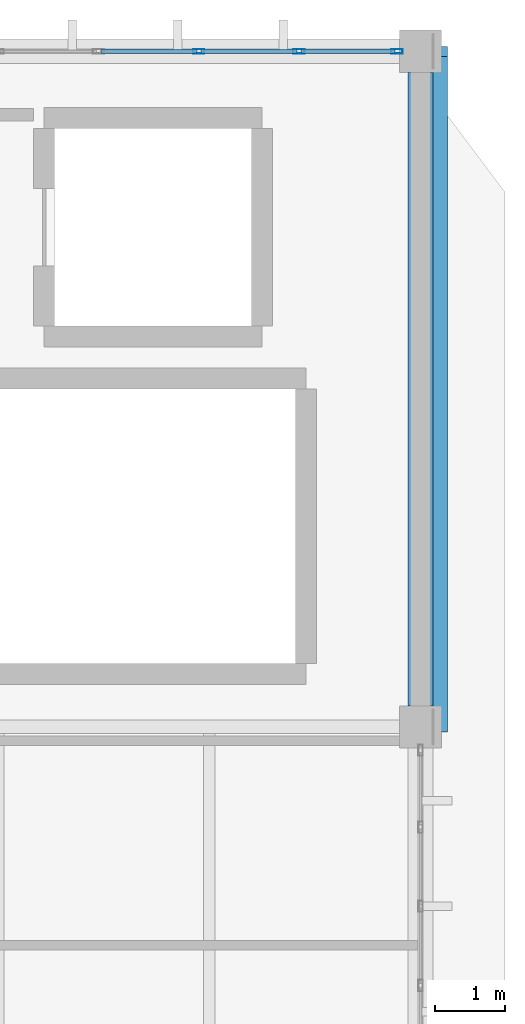
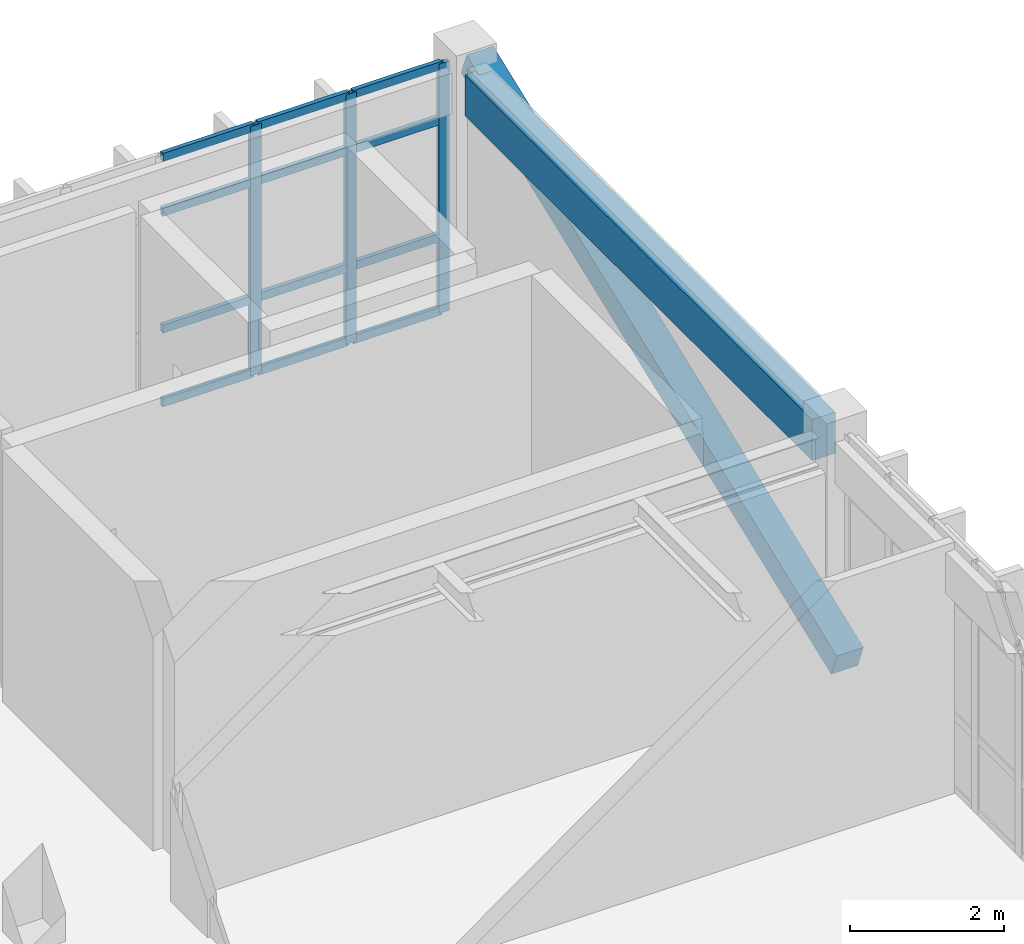
# One storey, part 19 of 28: 16 members, 1 beam, 1 element without a shape of its own.
"""IFC4 building model written with IfcOpenShell, lengths in metres."""

from ifc_helpers import new_model, si_unit, direction, frame, origin, origin_2d, place, context, subcontext, project, spatial, rectangle, hollow_rectangle, extrude, material, layer, layer_set, material_profile, profile_set, type_object, element, aggregate, save


model = new_model("IFC4")

# Units and contexts
model_context = context("Model", 3, precision=1e-05, world=origin(), true_north=direction((0.0, 1.0)))
body_context = subcontext(model_context, "Body", "Model", "MODEL_VIEW")
ifc_project = project(units=[si_unit("LENGTHUNIT", "METRE"), si_unit("AREAUNIT", "SQUARE_METRE"), si_unit("VOLUMEUNIT", "CUBIC_METRE"), si_unit("PLANEANGLEUNIT", "RADIAN"), si_unit("MASSUNIT", "GRAM", prefix="KILO")], contexts=[model_context])

# Site, building, storey
site_placement = place(None, origin())
site = spatial("IfcSite", under=ifc_project, at=site_placement, CompositionType="ELEMENT")
building_placement = place(site_placement, origin())
building = spatial("IfcBuilding", under=site, at=building_placement, Name="Pandanus Reach Market Hall", CompositionType="ELEMENT")
storey_placement = place(building_placement, frame((0.0, 0.0, 18.60009765625)))
storey = spatial("IfcBuildingStorey", under=building, at=storey_placement, Name="L04", CompositionType="ELEMENT", Elevation=18.60009765625)

# Beam
ifc_material_1 = material(Name="Concrete N40 (40 MPa)", Category="concrete")
ifc_material_profile_1 = material_profile(ifc_material_1, rectangle(XDim=0.35009765625, YDim=0.64990234375, at=origin_2d()), Name="RC350x650", Category="LoadBearing")
ifc_profile_set_1 = profile_set([ifc_material_profile_1], Name="Concrete N40 (40 MPa)")
beam_type = type_object("IfcBeamType", Name="BM-RC350-E", PredefinedType="SPANDREL", material=ifc_profile_set_1)
beam_placement = place(storey_placement, frame((180.0, 67.498046875, 3.534912109375), z_axis=(0.0, 1.0, 0.0), x_axis=(-1.0, 0.0, 0.0)))
element("IfcBeam", 1, at=beam_placement, inside=storey, type_object=beam_type, Name="Framing beam BM-RC350-E L04.636", PredefinedType="SPANDREL", context=body_context, shape_type="SweptSolid", body=[
    extrude(rectangle(XDim=0.35009765625, YDim=0.64990234375, at=origin_2d()), origin(), (0.0, 0.0, 1.0), 9.00390625),
])

# Curtain wall, members
ifc_material_2 = material(Name="Bronze anodised aluminium and low-E glass", Category="aluminium")
ifc_layer = layer(ifc_material_2, 0.159912109375, Name="CW-35")
ifc_layer_set = layer_set([ifc_layer], Name="Bronze anodised aluminium and low-E glass")
curtain_wall_type = type_object("IfcCurtainWallType", Name="CW-35", PredefinedType="NOTDEFINED", material=ifc_layer_set)
curtain_wall_placement = place(storey_placement, origin())
curtain_wall = element("IfcCurtainWall", 2, at=curtain_wall_placement, inside=storey, type_object=curtain_wall_type, Name="Glazed curtain wall CW-35 CW-0130", PredefinedType="NOTDEFINED")
ifc_material_3 = material(Name="Bronze anodised aluminium", Category="aluminium")
ifc_material_profile_2 = material_profile(ifc_material_3, hollow_rectangle(XDim=0.06494140625, YDim=0.159912109375, WallThickness=0.00390625, at=origin_2d()), Name="ALU65x160", Category="LoadBearing")
ifc_profile_set_2 = profile_set([ifc_material_profile_2], Name="Bronze anodised aluminium")
member_type_1 = type_object("IfcMemberType", Name="CW-M1", PredefinedType="MULLION", material=ifc_profile_set_2)
member_1_placement = place(storey_placement, frame((176.85009765625, 76.800048828125, 0.0), z_axis=(0.0, 0.0, 1.0), x_axis=(0.0, 1.0, 0.0)))
member_1 = element("IfcMember", 3, at=member_1_placement, type_object=member_type_1, Name="CW-35 mullion 7", PredefinedType="MULLION", context=body_context, shape_type="SweptSolid", body=[
    extrude(hollow_rectangle(XDim=0.06494140625, YDim=0.159912109375, WallThickness=0.00390625, at=origin_2d()), origin(), (0.0, 0.0, 1.0), 3.949951171875),
])
member_2_placement = place(storey_placement, frame((178.27490234375, 76.800048828125, 0.0), z_axis=(0.0, 0.0, 1.0), x_axis=(0.0, 1.0, 0.0)))
member_2 = element("IfcMember", 4, at=member_2_placement, type_object=member_type_1, Name="CW-35 mullion 8", PredefinedType="MULLION", context=body_context, shape_type="SweptSolid", body=[
    extrude(hollow_rectangle(XDim=0.06494140625, YDim=0.159912109375, WallThickness=0.00390625, at=origin_2d()), origin(), (0.0, 0.0, 1.0), 3.949951171875),
])
member_3_placement = place(storey_placement, frame((179.66748046875, 76.800048828125, 0.0), z_axis=(0.0, 0.0, 1.0), x_axis=(0.0, 1.0, 0.0)))
member_3 = element("IfcMember", 5, at=member_3_placement, type_object=member_type_1, Name="CW-35 mullion 9", PredefinedType="MULLION", context=body_context, shape_type="SweptSolid", body=[
    extrude(hollow_rectangle(XDim=0.06494140625, YDim=0.159912109375, WallThickness=0.00390625, at=origin_2d()), origin(), (0.0, 0.0, 1.0), 3.949951171875),
])
ifc_material_profile_3 = material_profile(ifc_material_3, hollow_rectangle(XDim=0.06494140625, YDim=0.1298828125, WallThickness=0.00390625, at=origin_2d()), Name="ALU65x130", Category="LoadBearing")
ifc_profile_set_3 = profile_set([ifc_material_profile_3], Name="Bronze anodised aluminium")
member_type_2 = type_object("IfcMemberType", Name="CW-T1", PredefinedType="USERDEFINED", material=ifc_profile_set_3)
member_4_placement = place(storey_placement, frame((175.45751953125, 76.800048828125, 0.032470703125), z_axis=(1.0, 0.0, 0.0), x_axis=(0.0, 1.0, 0.0)))
member_4 = element("IfcMember", 6, at=member_4_placement, type_object=member_type_2, Name="CW-35 transom 6.1", ObjectType="TRANSOM", PredefinedType="USERDEFINED", context=body_context, shape_type="SweptSolid", body=[
    extrude(hollow_rectangle(XDim=0.06494140625, YDim=0.1298828125, WallThickness=0.00390625, at=origin_2d()), origin(), (0.0, 0.0, 1.0), 1.35986328125),
])
member_5_placement = place(storey_placement, frame((175.45751953125, 76.800048828125, 1.199951171875), z_axis=(1.0, 0.0, 0.0), x_axis=(0.0, 1.0, 0.0)))
member_5 = element("IfcMember", 7, at=member_5_placement, type_object=member_type_2, Name="CW-35 transom 6.2", ObjectType="TRANSOM", PredefinedType="USERDEFINED", context=body_context, shape_type="SweptSolid", body=[
    extrude(hollow_rectangle(XDim=0.06494140625, YDim=0.1298828125, WallThickness=0.00390625, at=origin_2d()), origin(), (0.0, 0.0, 1.0), 1.35986328125),
])
member_6_placement = place(storey_placement, frame((175.45751953125, 76.800048828125, 3.0498046875), z_axis=(1.0, 0.0, 0.0), x_axis=(0.0, 1.0, 0.0)))
member_6 = element("IfcMember", 8, at=member_6_placement, type_object=member_type_2, Name="CW-35 transom 6.3", ObjectType="TRANSOM", PredefinedType="USERDEFINED", context=body_context, shape_type="SweptSolid", body=[
    extrude(hollow_rectangle(XDim=0.06494140625, YDim=0.1298828125, WallThickness=0.00390625, at=origin_2d()), origin(), (0.0, 0.0, 1.0), 1.35986328125),
])
member_7_placement = place(storey_placement, frame((175.45751953125, 76.800048828125, 3.91748046875), z_axis=(1.0, 0.0, 0.0), x_axis=(0.0, 1.0, 0.0)))
member_7 = element("IfcMember", 9, at=member_7_placement, type_object=member_type_2, Name="CW-35 transom 6.4", ObjectType="TRANSOM", PredefinedType="USERDEFINED", context=body_context, shape_type="SweptSolid", body=[
    extrude(hollow_rectangle(XDim=0.06494140625, YDim=0.1298828125, WallThickness=0.00390625, at=origin_2d()), origin(), (0.0, 0.0, 1.0), 1.35986328125),
])
member_8_placement = place(storey_placement, frame((176.882568359375, 76.800048828125, 0.032470703125), z_axis=(1.0, 0.0, 0.0), x_axis=(0.0, 1.0, 0.0)))
member_8 = element("IfcMember", 10, at=member_8_placement, type_object=member_type_2, Name="CW-35 transom 7.1", ObjectType="TRANSOM", PredefinedType="USERDEFINED", context=body_context, shape_type="SweptSolid", body=[
    extrude(hollow_rectangle(XDim=0.06494140625, YDim=0.1298828125, WallThickness=0.00390625, at=origin_2d()), origin(), (0.0, 0.0, 1.0), 1.35986328125),
])
member_9_placement = place(storey_placement, frame((176.882568359375, 76.800048828125, 1.199951171875), z_axis=(1.0, 0.0, 0.0), x_axis=(0.0, 1.0, 0.0)))
member_9 = element("IfcMember", 11, at=member_9_placement, type_object=member_type_2, Name="CW-35 transom 7.2", ObjectType="TRANSOM", PredefinedType="USERDEFINED", context=body_context, shape_type="SweptSolid", body=[
    extrude(hollow_rectangle(XDim=0.06494140625, YDim=0.1298828125, WallThickness=0.00390625, at=origin_2d()), origin(), (0.0, 0.0, 1.0), 1.35986328125),
])
member_10_placement = place(storey_placement, frame((176.882568359375, 76.800048828125, 3.0498046875), z_axis=(1.0, 0.0, 0.0), x_axis=(0.0, 1.0, 0.0)))
member_10 = element("IfcMember", 12, at=member_10_placement, type_object=member_type_2, Name="CW-35 transom 7.3", ObjectType="TRANSOM", PredefinedType="USERDEFINED", context=body_context, shape_type="SweptSolid", body=[
    extrude(hollow_rectangle(XDim=0.06494140625, YDim=0.1298828125, WallThickness=0.00390625, at=origin_2d()), origin(), (0.0, 0.0, 1.0), 1.35986328125),
])
member_11_placement = place(storey_placement, frame((176.882568359375, 76.800048828125, 3.91748046875), z_axis=(1.0, 0.0, 0.0), x_axis=(0.0, 1.0, 0.0)))
member_11 = element("IfcMember", 13, at=member_11_placement, type_object=member_type_2, Name="CW-35 transom 7.4", ObjectType="TRANSOM", PredefinedType="USERDEFINED", context=body_context, shape_type="SweptSolid", body=[
    extrude(hollow_rectangle(XDim=0.06494140625, YDim=0.1298828125, WallThickness=0.00390625, at=origin_2d()), origin(), (0.0, 0.0, 1.0), 1.35986328125),
])
member_12_placement = place(storey_placement, frame((178.3076171875, 76.800048828125, 0.032470703125), z_axis=(1.0, 0.0, 0.0), x_axis=(0.0, 1.0, 0.0)))
member_12 = element("IfcMember", 14, at=member_12_placement, type_object=member_type_2, Name="CW-35 transom 8.1", ObjectType="TRANSOM", PredefinedType="USERDEFINED", context=body_context, shape_type="SweptSolid", body=[
    extrude(hollow_rectangle(XDim=0.06494140625, YDim=0.1298828125, WallThickness=0.00390625, at=origin_2d()), origin(), (0.0, 0.0, 1.0), 1.327392578125),
])
member_13_placement = place(storey_placement, frame((178.3076171875, 76.800048828125, 1.199951171875), z_axis=(1.0, 0.0, 0.0), x_axis=(0.0, 1.0, 0.0)))
member_13 = element("IfcMember", 15, at=member_13_placement, type_object=member_type_2, Name="CW-35 transom 8.2", ObjectType="TRANSOM", PredefinedType="USERDEFINED", context=body_context, shape_type="SweptSolid", body=[
    extrude(hollow_rectangle(XDim=0.06494140625, YDim=0.1298828125, WallThickness=0.00390625, at=origin_2d()), origin(), (0.0, 0.0, 1.0), 1.327392578125),
])
member_14_placement = place(storey_placement, frame((178.3076171875, 76.800048828125, 3.0498046875), z_axis=(1.0, 0.0, 0.0), x_axis=(0.0, 1.0, 0.0)))
member_14 = element("IfcMember", 16, at=member_14_placement, type_object=member_type_2, Name="CW-35 transom 8.3", ObjectType="TRANSOM", PredefinedType="USERDEFINED", context=body_context, shape_type="SweptSolid", body=[
    extrude(hollow_rectangle(XDim=0.06494140625, YDim=0.1298828125, WallThickness=0.00390625, at=origin_2d()), origin(), (0.0, 0.0, 1.0), 1.327392578125),
])
member_15_placement = place(storey_placement, frame((178.3076171875, 76.800048828125, 3.91748046875), z_axis=(1.0, 0.0, 0.0), x_axis=(0.0, 1.0, 0.0)))
member_15 = element("IfcMember", 17, at=member_15_placement, type_object=member_type_2, Name="CW-35 transom 8.4", ObjectType="TRANSOM", PredefinedType="USERDEFINED", context=body_context, shape_type="SweptSolid", body=[
    extrude(hollow_rectangle(XDim=0.06494140625, YDim=0.1298828125, WallThickness=0.00390625, at=origin_2d()), origin(), (0.0, 0.0, 1.0), 1.327392578125),
])
aggregate(curtain_wall, [member_1, member_2, member_3, member_4, member_5, member_6, member_7, member_8, member_9, member_10, member_11, member_12, member_13, member_14, member_15])

# Member
ifc_material_4 = material(Name="Concrete N50 (50 MPa)", Category="concrete")
ifc_material_profile_4 = material_profile(ifc_material_4, rectangle(XDim=0.39990234375, YDim=0.39990234375, at=origin_2d()), Name="RC400x400", Category="LoadBearing")
ifc_profile_set_4 = profile_set([ifc_material_profile_4], Name="Concrete N50 (50 MPa)")
member_type_3 = type_object("IfcMemberType", Name="VS-RC400-E", PredefinedType="STRUT", material=ifc_profile_set_4)
member_16_placement = place(storey_placement, frame((180.179931640625, 67.199951171875, 0.099853515625), z_axis=(0.0, 0.933097690408, 0.359622997257), x_axis=(-1.0, 0.0, 0.0)))
element("IfcMember", 18, at=member_16_placement, inside=storey, type_object=member_type_3, Name="Sculpted concrete diagrid rib 11", PredefinedType="STRUT", context=body_context, shape_type="SweptSolid", body=[
    extrude(rectangle(XDim=0.39990234375, YDim=0.39990234375, at=origin_2d()), origin(), (0.0, 0.0, 1.0), 10.288330078125),
])

save(model, "model.ifc")
